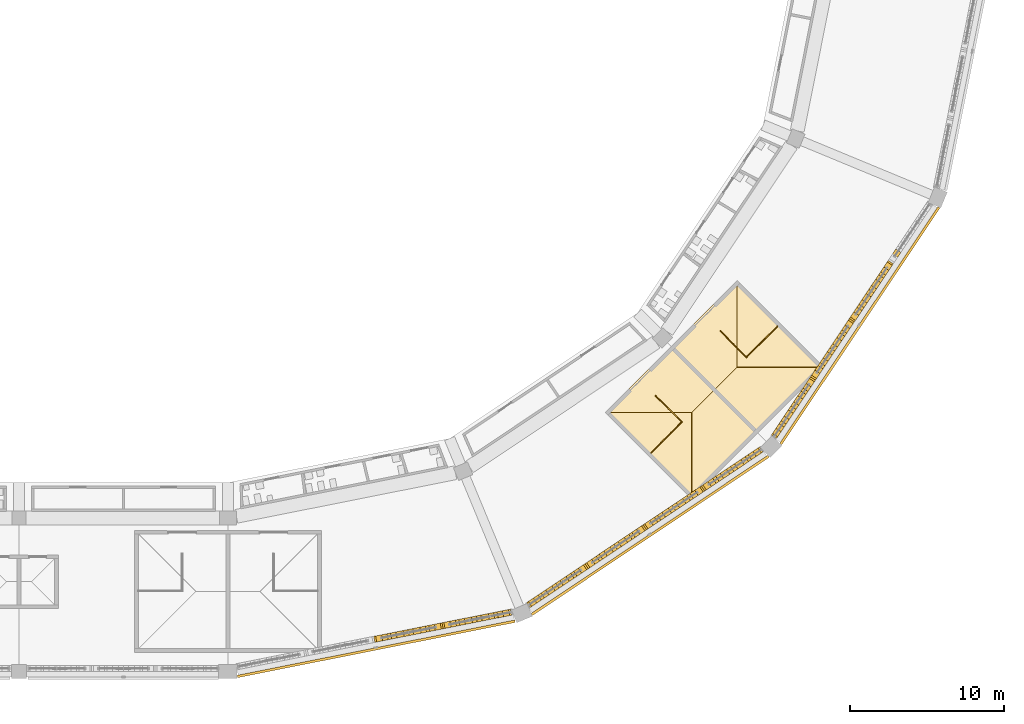
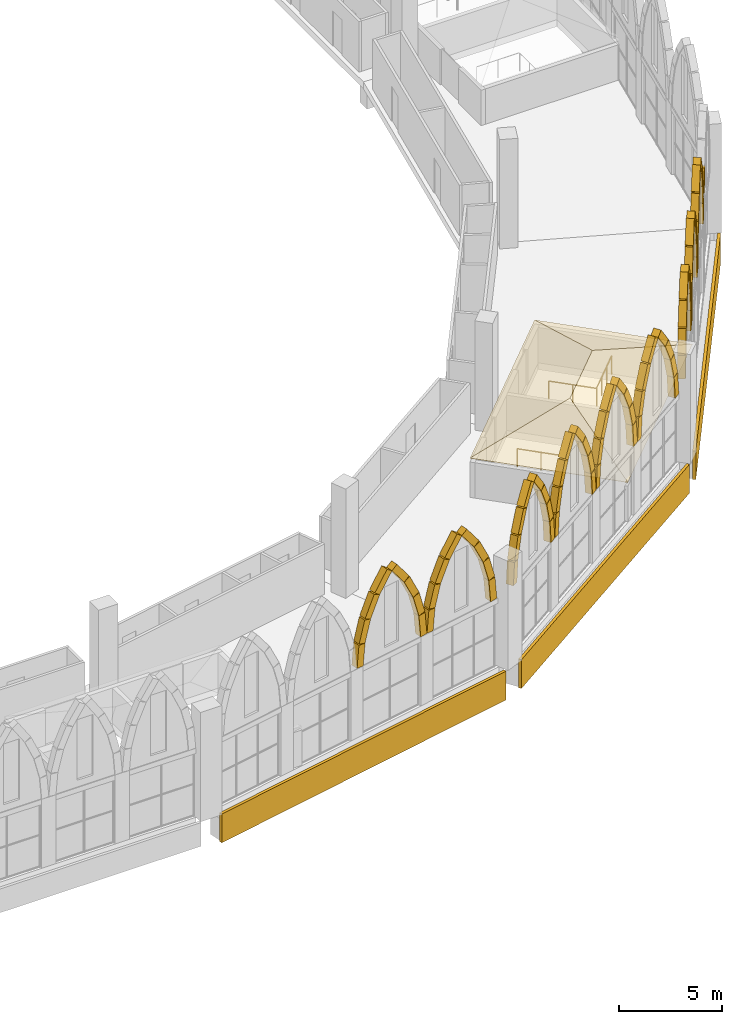
# One storey, part 111 of 130: 80 coverings, 4 railings.
"""IFC4 building model written with IfcOpenShell, lengths in metres."""

from ifc_helpers import new_model, si_unit, direction, frame, origin, origin_2d, place, context, subcontext, project, spatial, polyline, rectangle, circle, outline, extrude, material, layer, layer_set, material_profile, profile_set, type_object, element, save


model = new_model("IFC4")

# Units and contexts
model_context = context("Model", 3, precision=1e-05, world=origin(), true_north=direction((0.0, 1.0)))
body_context = subcontext(model_context, "Body", "Model", "MODEL_VIEW")
ifc_project = project(units=[si_unit("LENGTHUNIT", "METRE"), si_unit("AREAUNIT", "SQUARE_METRE"), si_unit("VOLUMEUNIT", "CUBIC_METRE"), si_unit("PLANEANGLEUNIT", "RADIAN"), si_unit("MASSUNIT", "GRAM", prefix="KILO")], contexts=[model_context])

# Site, building, storey
site_placement = place(None, origin())
site = spatial("IfcSite", under=ifc_project, at=site_placement, CompositionType="ELEMENT")
building_placement = place(site_placement, origin())
building = spatial("IfcBuilding", under=site, at=building_placement, Name="Ogive Plaza Stadium", CompositionType="ELEMENT")
storey_placement = place(building_placement, frame((0.0, 0.0, 22.5)))
storey = spatial("IfcBuildingStorey", under=building, at=storey_placement, Name="L05", CompositionType="ELEMENT", Elevation=22.5)

# Railings
ifc_material_1 = material(Name="Steel ASTM A572 Grade 50", Category="steel")
railing_type = type_object("IfcRailingType", Name="Guard 1100", PredefinedType="GUARDRAIL", material=ifc_material_1)
railing_1_placement = place(storey_placement, frame((61.84228515625, -84.549560546875, 0.0)))
element("IfcRailing", 1, at=railing_1_placement, inside=storey, type_object=railing_type, Name="Stair well guard ST10A L05", PredefinedType="GUARDRAIL", context=body_context, shape_type="SweptSolid", body=[
    extrude(circle(Radius=0.02392578125, at=origin_2d()), frame((0.0, 0.0, 1.076171875), z_axis=(0.707106781187, -0.707106781187, 0.0), x_axis=(0.707106781187, 0.707106781187, 0.0)), (0.0, 0.0, 1.0), 2.39990234375),
    extrude(circle(Radius=0.02099609375, at=origin_2d()), origin(), (0.0, 0.0, 1.0), 1.052001953125),
    extrude(circle(Radius=0.02099609375, at=origin_2d()), frame((0.8486328125, -0.8486328125, 0.0)), (0.0, 0.0, 1.0), 1.052001953125),
    extrude(circle(Radius=0.02099609375, at=origin_2d()), frame((1.697021484375, -1.697021484375, 0.0)), (0.0, 0.0, 1.0), 1.052001953125),
])
railing_2_placement = place(storey_placement, frame((61.524169921875, -88.261962890625, 0.0)))
element("IfcRailing", 2, at=railing_2_placement, inside=storey, type_object=railing_type, Name="Stair guard ST10A L05", PredefinedType="GUARDRAIL", context=body_context, shape_type="SweptSolid", body=[
    extrude(circle(Radius=0.02392578125, at=origin_2d()), frame((0.0, 0.0, 1.076171875), z_axis=(0.707106781187, 0.707106781187, 0.0), x_axis=(-0.707106781187, 0.707106781187, 0.0)), (0.0, 0.0, 1.0), 2.800048828125),
    extrude(circle(Radius=0.02099609375, at=origin_2d()), origin(), (0.0, 0.0, 1.0), 1.052001953125),
    extrude(circle(Radius=0.02099609375, at=origin_2d()), frame((0.659912109375, 0.659912109375, 0.0)), (0.0, 0.0, 1.0), 1.052001953125),
    extrude(circle(Radius=0.02099609375, at=origin_2d()), frame((1.320068359375, 1.320068359375, 0.0)), (0.0, 0.0, 1.0), 1.052001953125),
    extrude(circle(Radius=0.02099609375, at=origin_2d()), frame((1.97998046875, 1.97998046875, 0.0)), (0.0, 0.0, 1.0), 1.052001953125),
])
railing_3_placement = place(storey_placement, frame((66.049560546875, -80.34228515625, 0.0)))
element("IfcRailing", 3, at=railing_3_placement, inside=storey, type_object=railing_type, Name="Stair well guard ST10B L05", PredefinedType="GUARDRAIL", context=body_context, shape_type="SweptSolid", body=[
    extrude(circle(Radius=0.02392578125, at=origin_2d()), frame((0.0, 0.0, 1.076171875), z_axis=(0.707106781187, -0.707106781187, 0.0), x_axis=(0.707106781187, 0.707106781187, 0.0)), (0.0, 0.0, 1.0), 2.39990234375),
    extrude(circle(Radius=0.02099609375, at=origin_2d()), origin(), (0.0, 0.0, 1.0), 1.052001953125),
    extrude(circle(Radius=0.02099609375, at=origin_2d()), frame((0.8486328125, -0.8486328125, 0.0)), (0.0, 0.0, 1.0), 1.052001953125),
    extrude(circle(Radius=0.02099609375, at=origin_2d()), frame((1.697021484375, -1.697021484375, 0.0)), (0.0, 0.0, 1.0), 1.052001953125),
])
railing_4_placement = place(storey_placement, frame((67.781982421875, -82.004150390625, 0.0)))
element("IfcRailing", 4, at=railing_4_placement, inside=storey, type_object=railing_type, Name="Stair guard ST10B L05", PredefinedType="GUARDRAIL", context=body_context, shape_type="SweptSolid", body=[
    extrude(circle(Radius=0.02392578125, at=origin_2d()), frame((0.0, 0.0, 1.076171875), z_axis=(0.707106781187, 0.707106781187, 0.0), x_axis=(-0.707106781187, 0.707106781187, 0.0)), (0.0, 0.0, 1.0), 2.800048828125),
    extrude(circle(Radius=0.02099609375, at=origin_2d()), origin(), (0.0, 0.0, 1.0), 1.052001953125),
    extrude(circle(Radius=0.02099609375, at=origin_2d()), frame((0.659912109375, 0.659912109375, 0.0)), (0.0, 0.0, 1.0), 1.052001953125),
    extrude(circle(Radius=0.02099609375, at=origin_2d()), frame((1.320068359375, 1.320068359375, 0.0)), (0.0, 0.0, 1.0), 1.052001953125),
    extrude(circle(Radius=0.02099609375, at=origin_2d()), frame((1.97998046875, 1.97998046875, 0.0)), (0.0, 0.0, 1.0), 1.052001953125),
])

# Coverings
ifc_material_2 = material(Name="Cast stone (reconstituted limestone)", Category="masonry")
ifc_material_profile = material_profile(ifc_material_2, rectangle(XDim=0.39990234375, YDim=0.39990234375, at=origin_2d()), Name="Cast stone 400x400")
ifc_profile_set = profile_set([ifc_material_profile], Name="Cast stone (reconstituted limestone)")
covering_type_1 = type_object("IfcCoveringType", Name="Precast arch rib 400x400", PredefinedType="MOLDING", material=ifc_profile_set)
covering_1_placement = place(storey_placement, frame((77.52587890625, -75.267333984375, 6.732421875), z_axis=(-0.15347832726, -0.229661409993, -0.961093148358), x_axis=(0.831430345233, -0.555628995846, 0.0)))
element("IfcCovering", 5, at=covering_1_placement, inside=storey, type_object=covering_type_1, Name="ARCH RIB B09 1.7", PredefinedType="MOLDING", context=body_context, shape_type="SweptSolid", body=[
    extrude(rectangle(XDim=0.39990234375, YDim=0.39990234375, at=origin_2d()), origin(), (0.0, 0.0, 1.0), 1.317138671875),
])
covering_2_placement = place(storey_placement, frame((77.028564453125, -76.011474609375, 4.11865234375), z_axis=(-0.051719720781, -0.0774868935, 0.995650968873), x_axis=(0.831744041741, -0.555159300588, 0.0)))
element("IfcCovering", 6, at=covering_2_placement, inside=storey, type_object=covering_type_1, Name="ARCH RIB B09 2.1", PredefinedType="MOLDING", context=body_context, shape_type="SweptSolid", body=[
    extrude(rectangle(XDim=0.39990234375, YDim=0.39990234375, at=origin_2d()), origin(), (0.0, 0.0, 1.0), 1.31689453125),
])
for number, where, z_axis, x_axis, name in (
    (7, (76.95654296875, -76.119384765625, 5.466552734375), (-0.153484858629, -0.229485815196, 0.961134048297), (0.831223002932, -0.555939132817, 0.0), "ARCH RIB B09 2.2"),
    (8, (76.7470703125, -76.43310546875, 6.76708984375), (-0.249869155246, -0.37369155562, 0.893263693718), (0.831288257815, -0.55584155334, 0.0), "ARCH RIB B09 2.3"),
    (9, (76.406982421875, -76.94189453125, 7.97509765625), (-0.337534823983, -0.504912059598, 0.794439459412), (0.83134533247, -0.555756185913, 0.0), "ARCH RIB B09 2.4"),
    (10, (75.785888671875, -77.87109375, 9.021484375), (-0.337338989926, -0.505081729422, -0.794414786166), (0.831580508376, -0.555404229448, 0.0), "ARCH RIB B09 2.5"),
    (11, (75.33056640625, -78.552734375, 7.943603515625), (-0.249851844681, -0.373851016855, -0.89320180973), (0.831415590492, -0.555651073864, 0.0), "ARCH RIB B09 2.6"),
    (12, (74.993896484375, -79.056396484375, 6.732421875), (-0.153297325513, -0.229667939915, -0.961120474949), (0.831740333912, -0.555164855646, 0.0), "ARCH RIB B09 2.7"),
):
    element("IfcCovering", number, at=place(storey_placement, frame(where, z_axis=z_axis, x_axis=x_axis)), inside=storey, type_object=covering_type_1, Name=name, PredefinedType="MOLDING", context=body_context, shape_type="SweptSolid", body=[
        extrude(rectangle(XDim=0.39990234375, YDim=0.39990234375, at=origin_2d()), origin(), (0.0, 0.0, 1.0), 1.317138671875),
    ])
for number, where, z_axis, x_axis, name in (
    (13, (74.7880859375, -79.36474609375, 5.429931640625), (-0.051720462819, -0.077302627224, -0.995665253763), (0.831129250627, -0.556079282794, 0.0), "ARCH RIB B09 2.8"),
    (14, (74.496826171875, -79.800537109375, 4.11865234375), (-0.051719720781, -0.0774868935, 0.995650968873), (0.831744041741, -0.555159300588, 0.0), "ARCH RIB B09 3.1"),
):
    element("IfcCovering", number, at=place(storey_placement, frame(where, z_axis=z_axis, x_axis=x_axis)), inside=storey, type_object=covering_type_1, Name=name, PredefinedType="MOLDING", context=body_context, shape_type="SweptSolid", body=[
        extrude(rectangle(XDim=0.39990234375, YDim=0.39990234375, at=origin_2d()), origin(), (0.0, 0.0, 1.0), 1.31689453125),
    ])
for number, where, z_axis, x_axis, name in (
    (15, (74.4248046875, -79.908447265625, 5.466552734375), (-0.153484858629, -0.229485815196, 0.961134048297), (0.831223002932, -0.555939132817, 0.0), "ARCH RIB B09 3.2"),
    (16, (74.215087890625, -80.22216796875, 6.76708984375), (-0.249695353355, -0.373708858474, 0.893305054061), (0.831478782802, -0.555556508152, 0.0), "ARCH RIB B09 3.3"),
    (17, (73.875244140625, -80.73095703125, 7.97509765625), (-0.337534823983, -0.504912059598, 0.794439459412), (0.83134533247, -0.555756185913, 0.0), "ARCH RIB B09 3.4"),
    (18, (73.254150390625, -81.660400390625, 9.021484375), (-0.337370569381, -0.504943643404, -0.794489154049), (0.831486336441, -0.555545202762, 0.0), "ARCH RIB B09 3.5"),
    (19, (72.798828125, -82.342041015625, 7.943603515625), (-0.249869155246, -0.37369155562, -0.893263693718), (0.831288257815, -0.55584155334, 0.0), "ARCH RIB B09 3.6"),
    (20, (72.462158203125, -82.845458984375, 6.732421875), (-0.153297325513, -0.229667939915, -0.961120474949), (0.831740333912, -0.555164855646, 0.0), "ARCH RIB B09 3.7"),
):
    element("IfcCovering", number, at=place(storey_placement, frame(where, z_axis=z_axis, x_axis=x_axis)), inside=storey, type_object=covering_type_1, Name=name, PredefinedType="MOLDING", context=body_context, shape_type="SweptSolid", body=[
        extrude(rectangle(XDim=0.39990234375, YDim=0.39990234375, at=origin_2d()), origin(), (0.0, 0.0, 1.0), 1.317138671875),
    ])
for number, where, z_axis, x_axis, name in (
    (21, (72.25634765625, -83.15380859375, 5.429931640625), (-0.051720462819, -0.077302627224, -0.995665253763), (0.831129250627, -0.556079282794, 0.0), "ARCH RIB B09 3.8"),
    (22, (71.965087890625, -83.58984375, 4.11865234375), (-0.051905342272, -0.077301884741, 0.995655690517), (0.830207968105, -0.557453791533, 0.0), "ARCH RIB B09 4.1"),
):
    element("IfcCovering", number, at=place(storey_placement, frame(where, z_axis=z_axis, x_axis=x_axis)), inside=storey, type_object=covering_type_1, Name=name, PredefinedType="MOLDING", context=body_context, shape_type="SweptSolid", body=[
        extrude(rectangle(XDim=0.39990234375, YDim=0.39990234375, at=origin_2d()), origin(), (0.0, 0.0, 1.0), 1.31689453125),
    ])
for number, where, z_axis, x_axis, name in (
    (23, (71.89306640625, -83.697509765625, 5.466552734375), (-0.153484858629, -0.229485815196, 0.961134048297), (0.831223002932, -0.555939132817, 0.0), "ARCH RIB B09 4.2"),
    (24, (71.683349609375, -84.01123046875, 6.76708984375), (-0.249695353355, -0.373708858474, 0.893305054061), (0.831478782802, -0.555556508152, 0.0), "ARCH RIB B09 4.3"),
    (25, (71.343505859375, -84.52001953125, 7.97509765625), (-0.337534823983, -0.504912059598, 0.794439459412), (0.83134533247, -0.555756185913, 0.0), "ARCH RIB B09 4.4"),
    (26, (70.722412109375, -85.449462890625, 9.021484375), (-0.337534823983, -0.504912059598, -0.794439459412), (0.83134533247, -0.555756185913, 0.0), "ARCH RIB B09 4.5"),
    (27, (70.266845703125, -86.131103515625, 7.943603515625), (-0.249695353355, -0.373708858474, -0.893305054061), (0.831478782802, -0.555556508152, 0.0), "ARCH RIB B09 4.6"),
    (28, (69.930419921875, -86.634765625, 6.732421875), (-0.153484858629, -0.229485815196, -0.961134048297), (0.831223002932, -0.555939132817, 0.0), "ARCH RIB B09 4.7"),
):
    element("IfcCovering", number, at=place(storey_placement, frame(where, z_axis=z_axis, x_axis=x_axis)), inside=storey, type_object=covering_type_1, Name=name, PredefinedType="MOLDING", context=body_context, shape_type="SweptSolid", body=[
        extrude(rectangle(XDim=0.39990234375, YDim=0.39990234375, at=origin_2d()), origin(), (0.0, 0.0, 1.0), 1.317138671875),
    ])
for number, where, z_axis, x_axis, name in (
    (29, (69.724609375, -86.94287109375, 5.429931640625), (-0.051720462819, -0.077302627224, -0.995665253763), (0.831129250627, -0.556079282794, 0.0), "ARCH RIB B09 4.8"),
    (30, (68.544677734375, -88.156494140625, 4.11865234375), (-0.077302627224, -0.051720462819, 0.995665253763), (0.556079282794, -0.831129250627, 0.0), "ARCH RIB B10 1.1"),
):
    element("IfcCovering", number, at=place(storey_placement, frame(where, z_axis=z_axis, x_axis=x_axis)), inside=storey, type_object=covering_type_1, Name=name, PredefinedType="MOLDING", context=body_context, shape_type="SweptSolid", body=[
        extrude(rectangle(XDim=0.39990234375, YDim=0.39990234375, at=origin_2d()), origin(), (0.0, 0.0, 1.0), 1.31689453125),
    ])
for number, where, z_axis, x_axis, name in (
    (31, (68.43701171875, -88.228271484375, 5.466552734375), (-0.229485815196, -0.153484858629, 0.961134048297), (0.555939132817, -0.831223002932, 0.0), "ARCH RIB B10 1.2"),
    (32, (68.123291015625, -88.43798828125, 6.76708984375), (-0.373708858474, -0.249695353355, 0.893305054061), (0.555556508152, -0.831478782802, 0.0), "ARCH RIB B10 1.3"),
    (33, (67.614501953125, -88.77783203125, 7.97509765625), (-0.504912059598, -0.337534823983, 0.794439459412), (0.555756185913, -0.83134533247, 0.0), "ARCH RIB B10 1.4"),
    (34, (66.68505859375, -89.39892578125, 9.021484375), (-0.504912059598, -0.337534823983, -0.794439459412), (0.555756185913, -0.83134533247, 0.0), "ARCH RIB B10 1.5"),
    (35, (66.00341796875, -89.8544921875, 7.943603515625), (-0.373708858474, -0.249695353355, -0.893305054061), (0.555556508152, -0.831478782802, 0.0), "ARCH RIB B10 1.6"),
    (36, (65.499755859375, -90.19091796875, 6.732421875), (-0.229485815196, -0.153484858629, -0.961134048297), (0.555939132817, -0.831223002932, 0.0), "ARCH RIB B10 1.7"),
):
    element("IfcCovering", number, at=place(storey_placement, frame(where, z_axis=z_axis, x_axis=x_axis)), inside=storey, type_object=covering_type_1, Name=name, PredefinedType="MOLDING", context=body_context, shape_type="SweptSolid", body=[
        extrude(rectangle(XDim=0.39990234375, YDim=0.39990234375, at=origin_2d()), origin(), (0.0, 0.0, 1.0), 1.317138671875),
    ])
for number, where, z_axis, x_axis, name in (
    (37, (65.191650390625, -90.396728515625, 5.429931640625), (-0.077301884741, -0.051905342272, -0.995655690517), (0.557453791533, -0.830207968105, 0.0), "ARCH RIB B10 1.8"),
    (38, (64.755615234375, -90.688232421875, 4.11865234375), (-0.077302627224, -0.051720462819, 0.995665253763), (0.556079282794, -0.831129250627, 0.0), "ARCH RIB B10 2.1"),
):
    element("IfcCovering", number, at=place(storey_placement, frame(where, z_axis=z_axis, x_axis=x_axis)), inside=storey, type_object=covering_type_1, Name=name, PredefinedType="MOLDING", context=body_context, shape_type="SweptSolid", body=[
        extrude(rectangle(XDim=0.39990234375, YDim=0.39990234375, at=origin_2d()), origin(), (0.0, 0.0, 1.0), 1.31689453125),
    ])
for number, where, z_axis, x_axis, name in (
    (39, (64.64794921875, -90.76025390625, 5.466552734375), (-0.229667939915, -0.153297325513, 0.961120474949), (0.555164855646, -0.831740333912, 0.0), "ARCH RIB B10 2.2"),
    (40, (64.334228515625, -90.9697265625, 6.76708984375), (-0.37369155562, -0.249869155246, 0.893263693718), (0.55584155334, -0.831288257815, 0.0), "ARCH RIB B10 2.3"),
    (41, (63.825439453125, -91.309814453125, 7.97509765625), (-0.504943643404, -0.337370569381, 0.794489154049), (0.555545202762, -0.831486336441, 0.0), "ARCH RIB B10 2.4"),
    (42, (62.89599609375, -91.9306640625, 9.021484375), (-0.504912059598, -0.337534823983, -0.794439459412), (0.555756185913, -0.83134533247, 0.0), "ARCH RIB B10 2.5"),
    (43, (62.21435546875, -92.38623046875, 7.943603515625), (-0.373708858474, -0.249695353355, -0.893305054061), (0.555556508152, -0.831478782802, 0.0), "ARCH RIB B10 2.6"),
    (44, (61.710693359375, -92.72265625, 6.732421875), (-0.229485815196, -0.153484858629, -0.961134048297), (0.555939132817, -0.831223002932, 0.0), "ARCH RIB B10 2.7"),
):
    element("IfcCovering", number, at=place(storey_placement, frame(where, z_axis=z_axis, x_axis=x_axis)), inside=storey, type_object=covering_type_1, Name=name, PredefinedType="MOLDING", context=body_context, shape_type="SweptSolid", body=[
        extrude(rectangle(XDim=0.39990234375, YDim=0.39990234375, at=origin_2d()), origin(), (0.0, 0.0, 1.0), 1.317138671875),
    ])
for number, where, z_axis, x_axis, name in (
    (45, (61.402587890625, -92.9287109375, 5.429931640625), (-0.0774868935, -0.051719720781, -0.995650968873), (0.555159300588, -0.831744041741, 0.0), "ARCH RIB B10 2.8"),
    (46, (60.966552734375, -93.219970703125, 4.11865234375), (-0.077302627224, -0.051720462819, 0.995665253763), (0.556079282794, -0.831129250627, 0.0), "ARCH RIB B10 3.1"),
):
    element("IfcCovering", number, at=place(storey_placement, frame(where, z_axis=z_axis, x_axis=x_axis)), inside=storey, type_object=covering_type_1, Name=name, PredefinedType="MOLDING", context=body_context, shape_type="SweptSolid", body=[
        extrude(rectangle(XDim=0.39990234375, YDim=0.39990234375, at=origin_2d()), origin(), (0.0, 0.0, 1.0), 1.31689453125),
    ])
for number, where, z_axis, x_axis, name in (
    (47, (60.85888671875, -93.2919921875, 5.466552734375), (-0.229667939915, -0.153297325513, 0.961120474949), (0.555164855646, -0.831740333912, 0.0), "ARCH RIB B10 3.2"),
    (48, (60.545166015625, -93.50146484375, 6.76708984375), (-0.373851016855, -0.249851844681, 0.89320180973), (0.555651073864, -0.831415590492, 0.0), "ARCH RIB B10 3.3"),
    (49, (60.036376953125, -93.841552734375, 7.97509765625), (-0.505081729422, -0.337338989926, 0.794414786166), (0.555404229448, -0.831580508376, 0.0), "ARCH RIB B10 3.4"),
    (50, (59.10693359375, -94.46240234375, 9.021484375), (-0.504912059598, -0.337534823983, -0.794439459412), (0.555756185913, -0.83134533247, 0.0), "ARCH RIB B10 3.5"),
    (51, (58.42529296875, -94.91796875, 7.943603515625), (-0.37369155562, -0.249869155246, -0.893263693718), (0.55584155334, -0.831288257815, 0.0), "ARCH RIB B10 3.6"),
    (52, (57.921630859375, -95.25439453125, 6.732421875), (-0.229485815196, -0.153484858629, -0.961134048297), (0.555939132817, -0.831223002932, 0.0), "ARCH RIB B10 3.7"),
):
    element("IfcCovering", number, at=place(storey_placement, frame(where, z_axis=z_axis, x_axis=x_axis)), inside=storey, type_object=covering_type_1, Name=name, PredefinedType="MOLDING", context=body_context, shape_type="SweptSolid", body=[
        extrude(rectangle(XDim=0.39990234375, YDim=0.39990234375, at=origin_2d()), origin(), (0.0, 0.0, 1.0), 1.317138671875),
    ])
for number, where, z_axis, x_axis, name in (
    (53, (57.613525390625, -95.46044921875, 5.429931640625), (-0.0774868935, -0.051719720781, -0.995650968873), (0.555159300588, -0.831744041741, 0.0), "ARCH RIB B10 3.8"),
    (54, (57.177490234375, -95.751708984375, 4.11865234375), (-0.077302627224, -0.051720462819, 0.995665253763), (0.556079282794, -0.831129250627, 0.0), "ARCH RIB B10 4.1"),
):
    element("IfcCovering", number, at=place(storey_placement, frame(where, z_axis=z_axis, x_axis=x_axis)), inside=storey, type_object=covering_type_1, Name=name, PredefinedType="MOLDING", context=body_context, shape_type="SweptSolid", body=[
        extrude(rectangle(XDim=0.39990234375, YDim=0.39990234375, at=origin_2d()), origin(), (0.0, 0.0, 1.0), 1.31689453125),
    ])
for number, where, z_axis, x_axis, name in (
    (55, (57.06982421875, -95.82373046875, 5.466552734375), (-0.229661409993, -0.15347832726, 0.961093148358), (0.555628995846, -0.831430345233, 0.0), "ARCH RIB B10 4.2"),
    (56, (56.756103515625, -96.033447265625, 6.76708984375), (-0.373868324694, -0.249678053229, 0.893243161478), (0.555366039124, -0.83160601404, 0.0), "ARCH RIB B10 4.3"),
):
    element("IfcCovering", number, at=place(storey_placement, frame(where, z_axis=z_axis, x_axis=x_axis)), inside=storey, type_object=covering_type_1, Name=name, PredefinedType="MOLDING", context=body_context, shape_type="SweptSolid", body=[
        extrude(rectangle(XDim=0.39990234375, YDim=0.39990234375, at=origin_2d()), origin(), (0.0, 0.0, 1.0), 1.317138671875),
    ])
covering_3_placement = place(storey_placement, frame((56.247314453125, -96.373291015625, 7.97509765625), z_axis=(-0.505050142893, -0.337503233104, 0.794365105482), x_axis=(0.555615206869, -0.831439559977, 0.0)))
element("IfcCovering", 57, at=covering_3_placement, inside=storey, type_object=covering_type_1, Name="ARCH RIB B10 4.4", PredefinedType="MOLDING", context=body_context, shape_type="SweptSolid", body=[
    extrude(rectangle(XDim=0.39990234375, YDim=0.39990234375, at=origin_2d()), origin(), (0.0, 0.0, 1.0), 1.3173828125),
])
for number, where, z_axis, x_axis, name in (
    (58, (55.31787109375, -96.994384765625, 9.021484375), (-0.504943643404, -0.337370569381, -0.794489154049), (0.555545202762, -0.831486336441, 0.0), "ARCH RIB B10 4.5"),
    (59, (54.63623046875, -97.44970703125, 7.943603515625), (-0.37369155562, -0.249869155246, -0.893263693718), (0.55584155334, -0.831288257815, 0.0), "ARCH RIB B10 4.6"),
    (60, (54.132568359375, -97.786376953125, 6.732421875), (-0.229492340681, -0.15330384955, -0.961161378376), (0.555474964851, -0.831533260563, 0.0), "ARCH RIB B10 4.7"),
):
    element("IfcCovering", number, at=place(storey_placement, frame(where, z_axis=z_axis, x_axis=x_axis)), inside=storey, type_object=covering_type_1, Name=name, PredefinedType="MOLDING", context=body_context, shape_type="SweptSolid", body=[
        extrude(rectangle(XDim=0.39990234375, YDim=0.39990234375, at=origin_2d()), origin(), (0.0, 0.0, 1.0), 1.317138671875),
    ])
covering_4_placement = place(storey_placement, frame((53.824462890625, -97.9921875, 5.429931640625), z_axis=(-0.0774868935, -0.051719720781, -0.995650968873), x_axis=(0.555159300588, -0.831744041741, 0.0)))
element("IfcCovering", 61, at=covering_4_placement, inside=storey, type_object=covering_type_1, Name="ARCH RIB B10 4.8", PredefinedType="MOLDING", context=body_context, shape_type="SweptSolid", body=[
    extrude(rectangle(XDim=0.39990234375, YDim=0.39990234375, at=origin_2d()), origin(), (0.0, 0.0, 1.0), 1.31689453125),
])
covering_5_placement = place(storey_placement, frame((52.22021484375, -98.671875, 4.118408203125), z_axis=(-0.090922604132, -0.017998964492, 0.995695293418), x_axis=(0.194190789078, -0.98096377988, 0.0)))
element("IfcCovering", 62, at=covering_5_placement, inside=storey, type_object=covering_type_1, Name="ARCH RIB B11 1.1", PredefinedType="MOLDING", context=body_context, shape_type="SweptSolid", body=[
    extrude(rectangle(XDim=0.39990234375, YDim=0.39990234375, at=origin_2d()), origin(), (0.0, 0.0, 1.0), 1.315673828125),
])
covering_6_placement = place(storey_placement, frame((52.093994140625, -98.697021484375, 5.46484375), z_axis=(-0.269299546271, -0.053451598433, 0.961571984307), x_axis=(0.194685941721, -0.98086562999, 0.0)))
element("IfcCovering", 63, at=covering_6_placement, inside=storey, type_object=covering_type_1, Name="ARCH RIB B11 1.2", PredefinedType="MOLDING", context=body_context, shape_type="SweptSolid", body=[
    extrude(rectangle(XDim=0.39990234375, YDim=0.39990234375, at=origin_2d()), origin(), (0.0, 0.0, 1.0), 1.3154296875),
])
covering_7_placement = place(storey_placement, frame((51.726806640625, -98.77001953125, 6.764404296875), z_axis=(-0.438517907749, -0.087221081948, 0.894480031888), x_axis=(0.195078374406, -0.980787656855, 0.0)))
element("IfcCovering", 64, at=covering_7_placement, inside=storey, type_object=covering_type_1, Name="ARCH RIB B11 1.3", PredefinedType="MOLDING", context=body_context, shape_type="SweptSolid", body=[
    extrude(rectangle(XDim=0.39990234375, YDim=0.39990234375, at=origin_2d()), origin(), (0.0, 0.0, 1.0), 1.315673828125),
])
for number, where, z_axis, x_axis, name in (
    (65, (51.130859375, -98.888671875, 7.97265625), (-0.592756282244, -0.117846036075, 0.796713437593), (0.194993994068, -0.980804436306, 0.0), "ARCH RIB B11 1.4"),
    (66, (50.03857421875, -99.105712890625, 9.020751953125), (-0.592622911172, -0.118042020515, -0.796783638478), (0.195348196874, -0.98073395066, 0.0), "ARCH RIB B11 1.5"),
    (67, (49.23974609375, -99.2646484375, 7.941162109375), (-0.438367998716, -0.087228179253, -0.894552817024), (0.1951578198, -0.980771851845, 0.0), "ARCH RIB B11 1.6"),
    (68, (48.64990234375, -99.382080078125, 6.729736328125), (-0.269299546271, -0.053451598433, -0.961571984307), (0.194685941721, -0.98086562999, 0.0), "ARCH RIB B11 1.7"),
):
    element("IfcCovering", number, at=place(storey_placement, frame(where, z_axis=z_axis, x_axis=x_axis)), inside=storey, type_object=covering_type_1, Name=name, PredefinedType="MOLDING", context=body_context, shape_type="SweptSolid", body=[
        extrude(rectangle(XDim=0.39990234375, YDim=0.39990234375, at=origin_2d()), origin(), (0.0, 0.0, 1.0), 1.3154296875),
    ])
for number, where, z_axis, x_axis, name in (
    (69, (48.2890625, -99.453857421875, 5.428466796875), (-0.090738577123, -0.017999267855, -0.99571207534), (0.194572887676, -0.980888062615, 0.0), "ARCH RIB B11 1.8"),
    (70, (47.775634765625, -99.555908203125, 4.118408203125), (-0.090738577123, -0.017999267855, 0.99571207534), (0.194572887676, -0.980888062615, 0.0), "ARCH RIB B11 2.1"),
):
    element("IfcCovering", number, at=place(storey_placement, frame(where, z_axis=z_axis, x_axis=x_axis)), inside=storey, type_object=covering_type_1, Name=name, PredefinedType="MOLDING", context=body_context, shape_type="SweptSolid", body=[
        extrude(rectangle(XDim=0.39990234375, YDim=0.39990234375, at=origin_2d()), origin(), (0.0, 0.0, 1.0), 1.315673828125),
    ])
covering_8_placement = place(storey_placement, frame((47.6494140625, -99.5810546875, 5.46484375), z_axis=(-0.269127397366, -0.05345426927, 0.961620031553), x_axis=(0.194815113783, -0.980839982587, 0.0)))
element("IfcCovering", 71, at=covering_8_placement, inside=storey, type_object=covering_type_1, Name="ARCH RIB B11 2.2", PredefinedType="MOLDING", context=body_context, shape_type="SweptSolid", body=[
    extrude(rectangle(XDim=0.39990234375, YDim=0.39990234375, at=origin_2d()), origin(), (0.0, 0.0, 1.0), 1.3154296875),
])
covering_9_placement = place(storey_placement, frame((47.2822265625, -99.654052734375, 6.764404296875), z_axis=(-0.438517907749, -0.087221081948, 0.894480031888), x_axis=(0.195078374406, -0.980787656855, 0.0)))
element("IfcCovering", 72, at=covering_9_placement, inside=storey, type_object=covering_type_1, Name="ARCH RIB B11 2.3", PredefinedType="MOLDING", context=body_context, shape_type="SweptSolid", body=[
    extrude(rectangle(XDim=0.39990234375, YDim=0.39990234375, at=origin_2d()), origin(), (0.0, 0.0, 1.0), 1.315673828125),
])
for number, where, z_axis, x_axis, name in (
    (73, (46.686279296875, -99.772705078125, 7.97265625), (-0.592635884975, -0.117858999987, 0.796801081803), (0.195052740217, -0.980792755139, 0.0), "ARCH RIB B11 2.4"),
    (74, (45.593994140625, -99.989990234375, 9.020751953125), (-0.592635884975, -0.117858999987, -0.796801081803), (0.195052740217, -0.980792755139, 0.0), "ARCH RIB B11 2.5"),
    (75, (44.795166015625, -100.148681640625, 7.941162109375), (-0.438367998716, -0.087228179253, -0.894552817024), (0.1951578198, -0.980771851845, 0.0), "ARCH RIB B11 2.6"),
    (76, (44.205322265625, -100.26611328125, 6.729736328125), (-0.269296870115, -0.053636661243, -0.961562428715), (0.195336184167, -0.980736343344, 0.0), "ARCH RIB B11 2.7"),
):
    element("IfcCovering", number, at=place(storey_placement, frame(where, z_axis=z_axis, x_axis=x_axis)), inside=storey, type_object=covering_type_1, Name=name, PredefinedType="MOLDING", context=body_context, shape_type="SweptSolid", body=[
        extrude(rectangle(XDim=0.39990234375, YDim=0.39990234375, at=origin_2d()), origin(), (0.0, 0.0, 1.0), 1.3154296875),
    ])
covering_10_placement = place(storey_placement, frame((43.844482421875, -100.337890625, 5.428466796875), z_axis=(-0.090738577123, -0.017999267855, -0.99571207534), x_axis=(0.194572887676, -0.980888062615, 0.0)))
element("IfcCovering", 77, at=covering_10_placement, inside=storey, type_object=covering_type_1, Name="ARCH RIB B11 2.8", PredefinedType="MOLDING", context=body_context, shape_type="SweptSolid", body=[
    extrude(rectangle(XDim=0.39990234375, YDim=0.39990234375, at=origin_2d()), origin(), (0.0, 0.0, 1.0), 1.315673828125),
])
ifc_material_3 = material(Name="Cast stone (reconstituted limestone)", Category="masonry")
ifc_layer_1 = layer(ifc_material_3, 0.159912109375)
ifc_layer_set_1 = layer_set([ifc_layer_1], Name="Precast spandrel cladding 160")
covering_type_2 = type_object("IfcCoveringType", Name="Precast spandrel cladding 160", PredefinedType="CLADDING", material=ifc_layer_set_1)
covering_11_placement = place(storey_placement, frame((0.0, 0.0, -1.7099609375)))
element("IfcCovering", 78, at=covering_11_placement, inside=storey, type_object=covering_type_2, Name="SPANDREL CLADDING B09 L05", PredefinedType="CLADDING", context=body_context, shape_type="SweptSolid", body=[
    extrude(outline(polyline([(80.212158203125, -72.237060546875), (69.919189453125, -87.641357421875), (70.05224609375, -87.730224609375), (80.34521484375, -72.325927734375), (80.212158203125, -72.237060546875)])), origin(), (0.0, 0.0, 1.0), 1.7099609375),
])
covering_12_placement = place(storey_placement, frame((0.0, 0.0, -1.7099609375)))
element("IfcCovering", 79, at=covering_12_placement, inside=storey, type_object=covering_type_2, Name="SPANDREL CLADDING B10 L05", PredefinedType="CLADDING", context=body_context, shape_type="SweptSolid", body=[
    extrude(outline(polyline([(69.141357421875, -88.419189453125), (53.737060546875, -98.712158203125), (53.825927734375, -98.84521484375), (69.230224609375, -88.55224609375), (69.141357421875, -88.419189453125)])), origin(), (0.0, 0.0, 1.0), 1.7099609375),
])
covering_13_placement = place(storey_placement, frame((0.0, 0.0, -1.7099609375)))
element("IfcCovering", 80, at=covering_13_placement, inside=storey, type_object=covering_type_2, Name="SPANDREL CLADDING B11 L05", PredefinedType="CLADDING", context=body_context, shape_type="SweptSolid", body=[
    extrude(outline(polyline([(52.670654296875, -99.14306640625), (34.60009765625, -102.737548828125), (34.631103515625, -102.89453125), (52.701904296875, -99.300048828125), (52.670654296875, -99.14306640625)])), origin(), (0.0, 0.0, 1.0), 1.7099609375),
])
ifc_material_4 = material(Name="Zinc standing seam", Category="metal")
ifc_layer_2 = layer(ifc_material_4, 0.0400390625)
ifc_layer_set_2 = layer_set([ifc_layer_2], Name="Turret roof zinc standing seam 40")
covering_type_3 = type_object("IfcCoveringType", Name="Turret roof zinc standing seam 40", PredefinedType="ROOFING", material=ifc_layer_set_2)
covering_14_placement = place(storey_placement, frame((64.182861328125, -91.274169921875, 2.337158203125), z_axis=(0.263734666485, -0.263734666485, 0.927840531228), x_axis=(0.707106781187, 0.707106781187, 0.0)))
element("IfcCovering", 81, at=covering_14_placement, inside=storey, type_object=covering_type_3, Name="Stair core roof facet R10 1", PredefinedType="ROOFING", context=body_context, shape_type="SweptSolid", body=[
    extrude(outline(polyline([(0.0, 0.0), (12.149945131813775, 0.0), (8.170052618758437, 4.289414375754761), (3.9798925130553386, 4.289414375754761), (0.0, 0.0)])), origin(), (0.0, 0.0, -1.0), 0.0400390625),
])
covering_15_placement = place(storey_placement, frame((72.774169921875, -82.682861328125, 2.337158203125), z_axis=(0.263735462147, 0.263724022743, 0.927843330436), x_axis=(-0.707091445472, 0.707122116568, 0.0)))
element("IfcCovering", 82, at=covering_15_placement, inside=storey, type_object=covering_type_3, Name="Stair core roof facet R10 2", PredefinedType="ROOFING", context=body_context, shape_type="SweptSolid", body=[
    extrude(outline(polyline([(0.0, 0.0), (7.959957661474193, -8.881784197001252e-16), (3.9798061972456367, 4.289494461445401), (0.0, 0.0)])), origin(), (0.0, 0.0, -1.0), 0.0400390625),
])
covering_16_placement = place(storey_placement, frame((67.145751953125, -77.05419921875, 2.337158203125), z_axis=(-0.263724818379, 0.263724818379, 0.927846129669), x_axis=(-0.707106781187, -0.707106781187, 0.0)))
element("IfcCovering", 83, at=covering_16_placement, inside=storey, type_object=covering_type_3, Name="Stair core roof facet R10 3", PredefinedType="ROOFING", context=body_context, shape_type="SweptSolid", body=[
    extrude(outline(polyline([(0.0, 0.0), (12.150290398796775, 0.0), (8.170225252249935, 4.289574552588472), (3.9800651465468393, 4.289574552588473), (0.0, 0.0)])), origin(), (0.0, 0.0, -1.0), 0.0400390625),
])
covering_17_placement = place(storey_placement, frame((58.55419921875, -85.645751953125, 2.337158203125), z_axis=(-0.263724022743, -0.263735462147, 0.927843330436), x_axis=(0.707122116568, -0.707091445472, 0.0)))
element("IfcCovering", 84, at=covering_17_placement, inside=storey, type_object=covering_type_3, Name="Stair core roof facet R10 4", PredefinedType="ROOFING", context=body_context, shape_type="SweptSolid", body=[
    extrude(outline(polyline([(0.0, 0.0), (7.959957661474193, 8.881784197001252e-16), (3.9801514642285563, 4.289494461445402), (0.0, 0.0)])), origin(), (0.0, 0.0, -1.0), 0.0400390625),
])

save(model, "model.ifc")
